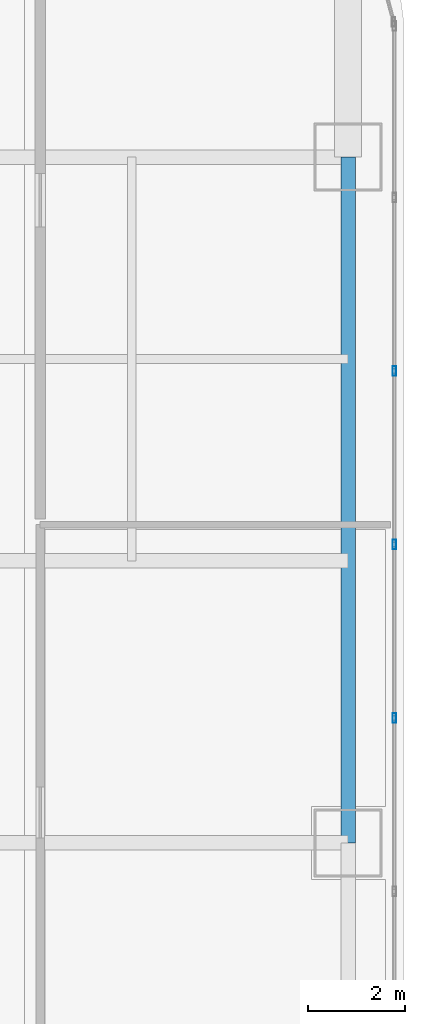
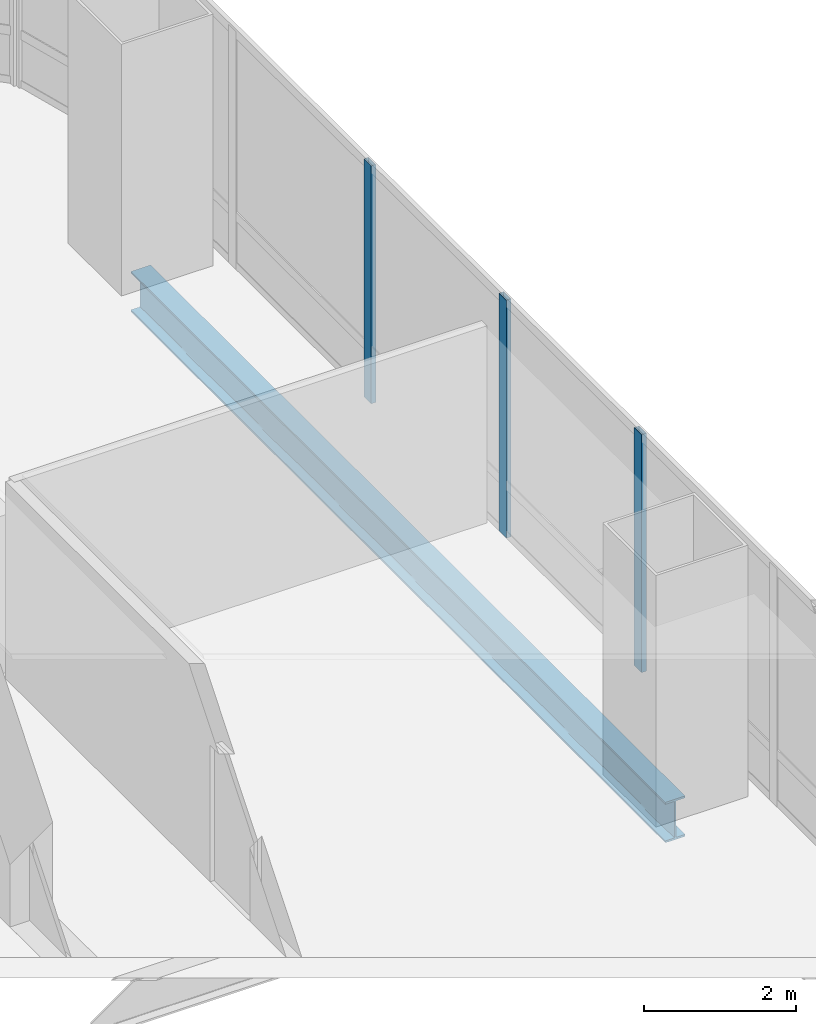
# One storey, part 18 of 38: 3 members, 1 beam, 1 element without a shape of its own.
"""IFC4 building model written with IfcOpenShell, lengths in metres."""

from ifc_helpers import new_model, si_unit, direction, frame, origin, origin_2d, place, context, subcontext, project, spatial, hollow_rectangle, i_section, extrude, material, material_profile, profile_set, type_object, element, aggregate, save


model = new_model("IFC4")

# Units and contexts
model_context = context("Model", 3, precision=1e-05, world=origin(), true_north=direction((0.0, 1.0)))
body_context = subcontext(model_context, "Body", "Model", "MODEL_VIEW")
ifc_project = project(units=[si_unit("LENGTHUNIT", "METRE"), si_unit("AREAUNIT", "SQUARE_METRE"), si_unit("VOLUMEUNIT", "CUBIC_METRE"), si_unit("PLANEANGLEUNIT", "RADIAN"), si_unit("MASSUNIT", "GRAM", prefix="KILO")], contexts=[model_context])

# Site, building, storey
site_placement = place(None, origin())
site = spatial("IfcSite", under=ifc_project, at=site_placement, CompositionType="ELEMENT")
building_placement = place(site_placement, origin())
building = spatial("IfcBuilding", under=site, at=building_placement, Name="Punatoya Terracotta Tower", CompositionType="ELEMENT")
storey_placement = place(building_placement, frame((0.0, 0.0, 143.85009765625)))
storey = spatial("IfcBuildingStorey", under=building, at=storey_placement, Name="L33", CompositionType="ELEMENT", Elevation=143.85009765625)

# Beam
ifc_material_1 = material(Name="Steel S355", Category="steel")
ifc_material_profile_1 = material_profile(ifc_material_1, i_section(OverallWidth=0.300048828125, OverallDepth=0.64990234375, WebThickness=0.01611328125, FlangeThickness=0.031005859375, FilletRadius=0.01806640625, at=origin_2d()))
ifc_profile_set_1 = profile_set([ifc_material_profile_1], Name="Steel S355")
beam_type = type_object("IfcBeamType", Name="BM-PRI-650", PredefinedType="BEAM", material=ifc_profile_set_1)
beam_placement = place(storey_placement, frame((19.10009765625, 3.39990234375, -0.545166015625), z_axis=(0.0, 1.0, 0.0), x_axis=(-1.0, 0.0, 0.0)))
element("IfcBeam", 1, at=beam_placement, inside=storey, type_object=beam_type, Name="BM-L33-RG-E3", PredefinedType="BEAM", context=body_context, shape_type="SweptSolid", body=[
    extrude(i_section(OverallWidth=0.300048828125, OverallDepth=0.64990234375, WebThickness=0.01611328125, FlangeThickness=0.031005859375, FilletRadius=0.01806640625, at=origin_2d()), origin(), (0.0, 0.0, 1.0), 14.10009765625),
])

# Curtain wall, members
ifc_material_2 = material(Name="Aluminium 6063-T6 + Double Low-E Glass", Category="aluminium")
curtain_wall_type = type_object("IfcCurtainWallType", Name="CW-M2", PredefinedType="NOTDEFINED", material=ifc_material_2)
curtain_wall_placement = place(storey_placement, origin())
curtain_wall = element("IfcCurtainWall", 2, at=curtain_wall_placement, inside=storey, type_object=curtain_wall_type, Name="L33 Curtain Wall CW-L33-E05-1", PredefinedType="NOTDEFINED")
ifc_material_3 = material(Name="Aluminium 6063-T6", Category="aluminium")
ifc_material_profile_2 = material_profile(ifc_material_3, hollow_rectangle(XDim=0.072021484375, YDim=0.195068359375, WallThickness=0.00439453125, at=origin_2d()))
ifc_profile_set_2 = profile_set([ifc_material_profile_2], Name="Aluminium 6063-T6")
member_type = type_object("IfcMemberType", Name="CW-MUL-M2", PredefinedType="MULLION", material=ifc_profile_set_2)
member_1_placement = place(storey_placement, frame((20.050048828125, 5.96728515625, 0.0), z_axis=(0.0, 0.0, 1.0), x_axis=(1.0, 0.0, 0.0)))
member_1 = element("IfcMember", 3, at=member_1_placement, type_object=member_type, Name="CW-L33-E05-1 Mullion 06", PredefinedType="MULLION", context=body_context, shape_type="SweptSolid", body=[
    extrude(hollow_rectangle(XDim=0.072021484375, YDim=0.195068359375, WallThickness=0.00439453125, at=origin_2d()), origin(), (0.0, 0.0, 1.0), 3.829833984375),
])
member_2_placement = place(storey_placement, frame((20.050048828125, 9.534912109375, 0.0), z_axis=(0.0, 0.0, 1.0), x_axis=(1.0, 0.0, 0.0)))
member_2 = element("IfcMember", 4, at=member_2_placement, type_object=member_type, Name="CW-L33-E05-1 Mullion 07", PredefinedType="MULLION", context=body_context, shape_type="SweptSolid", body=[
    extrude(hollow_rectangle(XDim=0.072021484375, YDim=0.195068359375, WallThickness=0.00439453125, at=origin_2d()), origin(), (0.0, 0.0, 1.0), 3.829833984375),
])
member_3_placement = place(storey_placement, frame((20.050048828125, 13.10205078125, 0.0), z_axis=(0.0, 0.0, 1.0), x_axis=(1.0, 0.0, 0.0)))
member_3 = element("IfcMember", 5, at=member_3_placement, type_object=member_type, Name="CW-L33-E05-1 Mullion 08", PredefinedType="MULLION", context=body_context, shape_type="SweptSolid", body=[
    extrude(hollow_rectangle(XDim=0.072021484375, YDim=0.195068359375, WallThickness=0.00439453125, at=origin_2d()), origin(), (0.0, 0.0, 1.0), 3.829833984375),
])
aggregate(curtain_wall, [member_1, member_2, member_3])

save(model, "model.ifc")
